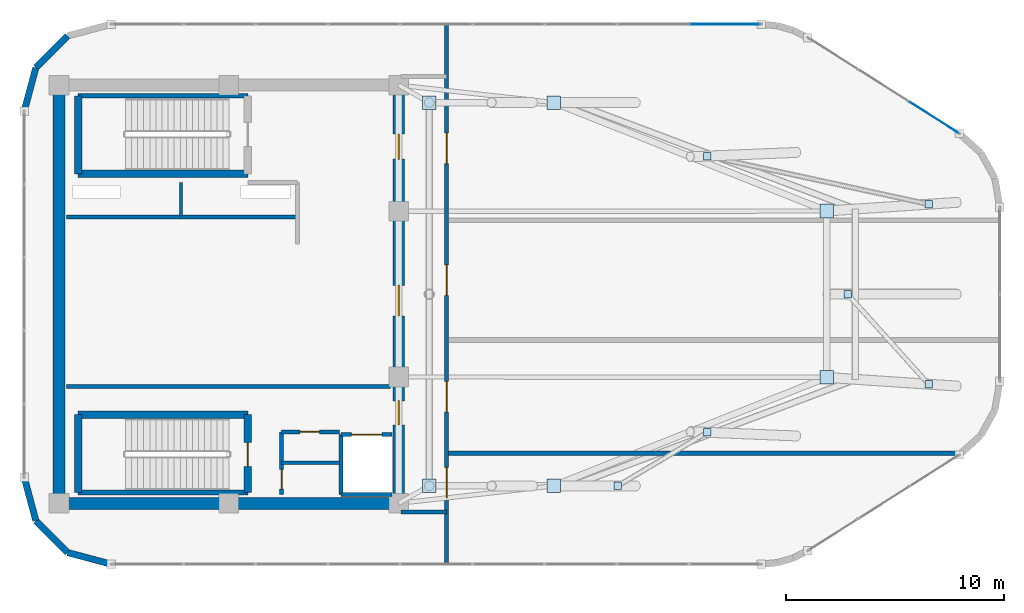
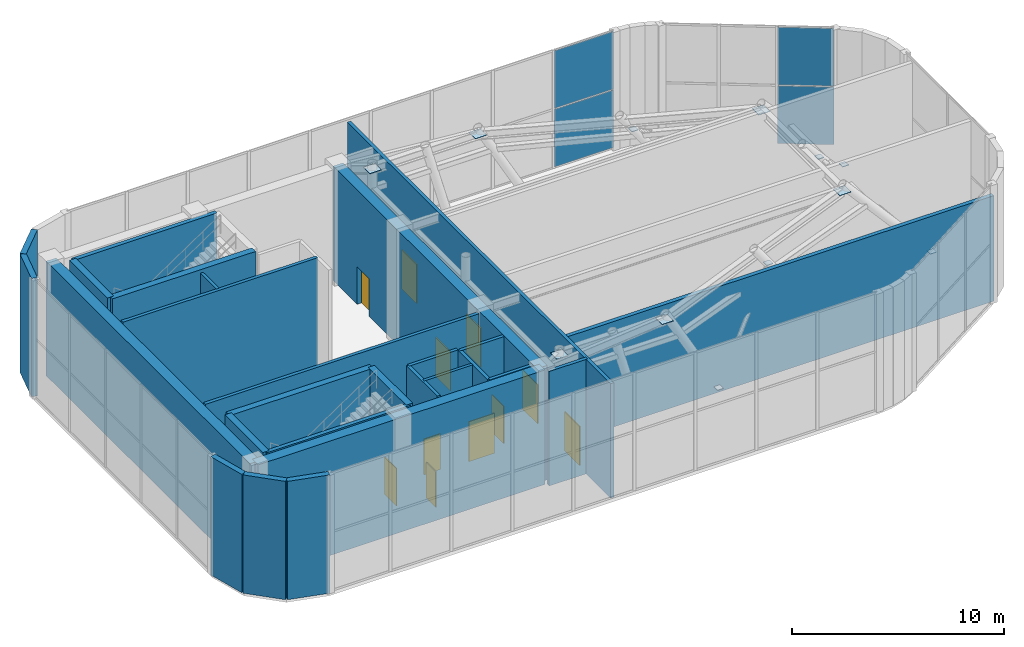
# One storey, part 22 of 24: 27 walls, 16 plates, 11 doors, 11 openings, 2 elements without a shape of their own.
"""IFC4 building model written with IfcOpenShell, lengths in metres."""

from ifc_helpers import new_model, si_unit, direction, frame, frame_2d, origin, origin_2d, place, context, subcontext, project, spatial, rectangle, extrude, material, layer, layer_set, type_object, element, fill, aggregate, save


model = new_model("IFC4")

# Units and contexts
model_context = context("Model", 3, precision=1e-05, world=origin(), true_north=direction((0.0, 1.0)))
body_context = subcontext(model_context, "Body", "Model", "MODEL_VIEW")
ifc_project = project(units=[si_unit("LENGTHUNIT", "METRE"), si_unit("AREAUNIT", "SQUARE_METRE"), si_unit("VOLUMEUNIT", "CUBIC_METRE"), si_unit("PLANEANGLEUNIT", "RADIAN"), si_unit("MASSUNIT", "GRAM", prefix="KILO")], contexts=[model_context])

# Site, building, storey
site_placement = place(None, origin())
site = spatial("IfcSite", under=ifc_project, at=site_placement, CompositionType="ELEMENT")
building_placement = place(site_placement, origin())
building = spatial("IfcBuilding", under=site, at=building_placement, Name="An Khanh Terracotta Commons", CompositionType="ELEMENT")
storey_placement = place(building_placement, frame((0.0, 0.0, 315.199951171875)))
storey = spatial("IfcBuildingStorey", under=building, at=storey_placement, Name="L80 Crown Cooling Plant", CompositionType="ELEMENT", Elevation=315.199951171875)

# Plates
ifc_material_1 = material(Name="Steel S460ML", Category="steel")
ifc_layer_1 = layer(ifc_material_1, 0.030029296875, Name="Steel S460ML")
ifc_layer_set_1 = layer_set([ifc_layer_1], Name="Steel S460ML")
plate_type_1 = type_object("IfcPlateType", Name="CROWN-CAP-PL", PredefinedType="USERDEFINED", material=ifc_layer_set_1)
for number, where, z_axis, x_axis, name in (
    (1, (47.260986328125, 15.199951171875, 1.3701171875), (0.0, 0.0, 1.0), (1.0, 0.0, 0.0), "L80 Crown Cooling Plant CROWN FRAME Brace End-Cap Plate 2A"),
    (2, (51.366943359375, 17.657958984375, 5.61083984375), (0.0, 0.0, 1.0), (1.0, 0.0, 0.0), "L80 Crown Cooling Plant CROWN FRAME Brace End-Cap Plate 2B"),
    (3, (61.530029296875, 19.867919921875, 1.3701171875), (0.0, 0.0, 1.0), (1.0, 0.0, 0.0), "L80 Crown Cooling Plant CROWN FRAME Brace End-Cap Plate 3A"),
    (4, (57.81005859375, 24.0, 5.61083984375), (0.0, 0.0, 1.0), (1.0, 0.0, 0.0), "L80 Crown Cooling Plant CROWN FRAME Brace End-Cap Plate 3B"),
    (5, (61.530029296875, 28.132080078125, 1.3701171875), (0.0, 0.0, 1.0), (1.0, 0.0, 0.0), "L80 Crown Cooling Plant CROWN FRAME Brace End-Cap Plate 4A"),
    (6, (51.366943359375, 30.342041015625, 5.61083984375), (0.0, 0.0, 1.0), (1.0, 0.0, 0.0), "L80 Crown Cooling Plant CROWN FRAME Brace End-Cap Plate 4B"),
):
    element("IfcPlate", number, at=place(storey_placement, frame(where, z_axis=z_axis, x_axis=x_axis)), inside=storey, type_object=plate_type_1, Name=name, ObjectType="FLANGE_PLATE", PredefinedType="USERDEFINED", context=body_context, shape_type="SweptSolid", body=[
        extrude(rectangle(XDim=0.340087890625, YDim=0.340087890625, at=origin_2d()), origin(), (0.0, 0.0, 1.0), 0.030029296875),
    ])

# Curtain wall, plates
ifc_material_2 = material(Name="Anodised Aluminium 6063-T6", Category="aluminium")
ifc_layer_2 = layer(ifc_material_2, 0.18994140625, Name="Anodised Aluminium 6063-T6")
ifc_layer_set_2 = layer_set([ifc_layer_2], Name="Anodised Aluminium 6063-T6")
curtain_wall_type = type_object("IfcCurtainWallType", Name="CW-SYS-06", PredefinedType="USERDEFINED", material=ifc_layer_set_2)
curtain_wall_1_placement = place(storey_placement, origin())
curtain_wall_1 = element("IfcCurtainWall", 7, at=curtain_wall_1_placement, inside=storey, type_object=curtain_wall_type, Name="L80 Crown Cooling Plant CW-06 Unitised Curtain Wall CW-L80-16", ObjectType="UNITISED CURTAIN WALL", PredefinedType="USERDEFINED")
ifc_material_3 = material(Name="Faceted Crown Low-Iron Low-E Glazing", Category="glass")
ifc_layer_3 = layer(ifc_material_3, 0.033935546875, Name="Faceted Crown Low-Iron Low-E Glazing")
ifc_layer_set_3 = layer_set([ifc_layer_3], Name="Faceted Crown Low-Iron Low-E Glazing")
plate_type_2 = type_object("IfcPlateType", Name="CWP-CROWN-34", PredefinedType="CURTAIN_PANEL", material=ifc_layer_set_3)
plate_1_placement = place(storey_placement, frame((61.765380859375, 32.120361328125, 0.06005859375), z_axis=(0.0, 0.0, 1.0), x_axis=(-0.845113547412, 0.53458684232, 0.0)))
plate_1 = element("IfcPlate", 8, at=plate_1_placement, type_object=plate_type_2, Name="CW-06 panel 1.1", PredefinedType="CURTAIN_PANEL", context=body_context, shape_type="SweptSolid", body=[
    extrude(rectangle(XDim=2.647216796875, YDim=0.033935546875, at=origin_2d()), origin(), (0.0, 0.0, 1.0), 3.31005859375),
])
plate_2_placement = place(storey_placement, frame((61.765380859375, 32.120361328125, 3.429931640625), z_axis=(0.0, 0.0, 1.0), x_axis=(-0.845113547412, 0.53458684232, 0.0)))
plate_2 = element("IfcPlate", 9, at=plate_2_placement, type_object=plate_type_2, Name="CW-06 panel 1.2", PredefinedType="CURTAIN_PANEL", context=body_context, shape_type="SweptSolid", body=[
    extrude(rectangle(XDim=2.647216796875, YDim=0.033935546875, at=origin_2d()), origin(), (0.0, 0.0, 1.0), 3.31005859375),
])
aggregate(curtain_wall_1, [plate_1, plate_2])

curtain_wall_2_placement = place(storey_placement, origin())
curtain_wall_2 = element("IfcCurtainWall", 10, at=curtain_wall_2_placement, inside=storey, type_object=curtain_wall_type, Name="L80 Crown Cooling Plant CW-06 Unitised Curtain Wall CW-L80-20", ObjectType="UNITISED CURTAIN WALL", PredefinedType="USERDEFINED")
plate_3_placement = place(storey_placement, frame((52.1669921875, 36.39990234375, 0.06005859375), z_axis=(0.0, 0.0, 1.0), x_axis=(-1.0, 0.0, 0.0)))
plate_3 = element("IfcPlate", 11, at=plate_3_placement, type_object=plate_type_2, Name="CW-06 panel 1.1", PredefinedType="CURTAIN_PANEL", context=body_context, shape_type="SweptSolid", body=[
    extrude(rectangle(XDim=3.21826171875, YDim=0.033935546875, at=origin_2d()), origin(), (0.0, 0.0, 1.0), 3.31005859375),
])
plate_4_placement = place(storey_placement, frame((52.1669921875, 36.39990234375, 3.429931640625), z_axis=(0.0, 0.0, 1.0), x_axis=(-1.0, 0.0, 0.0)))
plate_4 = element("IfcPlate", 12, at=plate_4_placement, type_object=plate_type_2, Name="CW-06 panel 1.2", PredefinedType="CURTAIN_PANEL", context=body_context, shape_type="SweptSolid", body=[
    extrude(rectangle(XDim=3.21826171875, YDim=0.033935546875, at=origin_2d()), origin(), (0.0, 0.0, 1.0), 3.31005859375),
])
aggregate(curtain_wall_2, [plate_3, plate_4])

# Plates
ifc_layer_4 = layer(ifc_material_1, 0.02490234375, Name="Steel S460ML")
ifc_layer_set_4 = layer_set([ifc_layer_4], Name="Steel S460ML")
plate_type_3 = type_object("IfcPlateType", Name="PLATE-GUSSET-25", PredefinedType="USERDEFINED", material=ifc_layer_set_4)
for number, where, z_axis, x_axis, name in (
    (13, (38.60009765625, 15.199951171875, 6.317626953125), (0.0, 0.0, 1.0), (1.0, 0.0, 0.0), "L80 Crown Cooling Plant CROWN FRAME Node End-Cap Plate 1"),
    (14, (44.322021484375, 15.199951171875, 6.317626953125), (0.0, 0.0, 1.0), (1.0, 0.0, 0.0), "L80 Crown Cooling Plant CROWN FRAME Node End-Cap Plate 2"),
    (15, (56.85009765625, 20.179931640625, 6.317626953125), (0.0, 0.0, 1.0), (1.0, 0.0, 0.0), "L80 Crown Cooling Plant CROWN FRAME Node End-Cap Plate 3"),
    (16, (56.85009765625, 27.820068359375, 6.317626953125), (0.0, 0.0, 1.0), (1.0, 0.0, 0.0), "L80 Crown Cooling Plant CROWN FRAME Node End-Cap Plate 4"),
    (17, (44.322021484375, 32.800048828125, 6.317626953125), (0.0, 0.0, 1.0), (1.0, 0.0, 0.0), "L80 Crown Cooling Plant CROWN FRAME Node End-Cap Plate 5"),
    (18, (38.60009765625, 32.800048828125, 6.317626953125), (0.0, 0.0, 1.0), (1.0, 0.0, 0.0), "L80 Crown Cooling Plant CROWN FRAME Node End-Cap Plate 6"),
):
    element("IfcPlate", number, at=place(storey_placement, frame(where, z_axis=z_axis, x_axis=x_axis)), inside=storey, type_object=plate_type_3, Name=name, ObjectType="FLANGE_PLATE", PredefinedType="USERDEFINED", context=body_context, shape_type="SweptSolid", body=[
        extrude(rectangle(XDim=0.6201171875, YDim=0.6201171875, at=origin_2d()), origin(), (0.0, 0.0, 1.0), 0.02490234375),
    ])

# Walls
ifc_material_4 = material(Name="Concrete C50/60", Category="concrete")
ifc_layer_5 = layer(ifc_material_4, 0.550048828125, Name="Concrete C50/60")
ifc_layer_set_5 = layer_set([ifc_layer_5], Name="Concrete C50/60")
wall_type_1 = type_object("IfcWallType", Name="WALL-CORE-550", PredefinedType="SHEAR", material=ifc_layer_set_5)
wall_1_placement = place(storey_placement, frame((21.60009765625, 14.39990234375, 0.0), z_axis=(0.0, 0.0, 1.0), x_axis=(0.0, 1.0, 0.0)))
element("IfcWall", 19, at=wall_1_placement, inside=storey, type_object=wall_type_1, Name="L80 Crown Cooling Plant Core Wall CWALL-L80 Crown Cooling Plant-W", PredefinedType="SHEAR", context=body_context, shape_type="SweptSolid", body=[
    extrude(rectangle(XDim=19.2001953125, YDim=0.550048828125, at=frame_2d((9.60009765625, 0.0))), origin(), (0.0, 0.0, 1.0), 6.580078125),
])
wall_2_placement = place(storey_placement, frame((37.199951171875, 14.39990234375, 0.0), z_axis=(0.0, 0.0, 1.0), x_axis=(-1.0, 0.0, 0.0)))
element("IfcWall", 20, at=wall_2_placement, inside=storey, type_object=wall_type_1, Name="L80 Crown Cooling Plant Core Wall CWALL-L80 Crown Cooling Plant-S", PredefinedType="SHEAR", context=body_context, shape_type="SweptSolid", body=[
    extrude(rectangle(XDim=15.599853515625, YDim=0.550048828125, at=frame_2d((7.7998046875, 0.0))), origin(), (0.0, 0.0, 1.0), 6.580078125),
])

# Wall, openings, doors
wall_3_placement = place(storey_placement, frame((37.199951171875, 14.39990234375, 0.0), z_axis=(0.0, 0.0, 1.0), x_axis=(0.0, 1.0, 0.0)))
wall_3 = element("IfcWall", 21, at=wall_3_placement, inside=storey, type_object=wall_type_1, Name="L80 Crown Cooling Plant Core Wall CWALL-L80 Crown Cooling Plant-E", PredefinedType="SHEAR", context=body_context, shape_type="SweptSolid", body=[
    extrude(rectangle(XDim=19.2001953125, YDim=0.550048828125, at=frame_2d((9.60009765625, 0.0))), origin(), (0.0, 0.0, 1.0), 6.580078125),
])
opening_1_placement = place(wall_3_placement, frame((15.800048828125, 0.0, 0.0)))
opening_1 = element("IfcOpeningElement", 22, at=opening_1_placement, cuts=wall_3, Name="Opening D-FFL", PredefinedType="OPENING", context=body_context, shape_type="SweptSolid", body=[
    extrude(rectangle(XDim=1.14990234375, YDim=2.14990234375, at=frame_2d((0.574951171875, 1.074951171875))), frame((0.0, 0.284912109375, 0.0), z_axis=(0.0, -1.0, 0.0), x_axis=(1.0, 0.0, 0.0)), (0.0, 0.0, 1.0), 0.570068359375),
])
opening_2_placement = place(wall_3_placement, frame((3.60009765625, 0.0, 0.0)))
opening_2 = element("IfcOpeningElement", 23, at=opening_2_placement, cuts=wall_3, Name="Opening D-ST", PredefinedType="OPENING", context=body_context, shape_type="SweptSolid", body=[
    extrude(rectangle(XDim=1.10009765625, YDim=2.14990234375, at=frame_2d((0.550048828125, 1.074951171875))), frame((0.0, 0.284912109375, 0.0), z_axis=(0.0, -1.0, 0.0), x_axis=(1.0, 0.0, 0.0)), (0.0, 0.0, 1.0), 0.570068359375),
])
opening_3_placement = place(wall_3_placement, frame((8.60009765625, 0.0, 0.0)))
opening_3 = element("IfcOpeningElement", 24, at=opening_3_placement, cuts=wall_3, Name="Opening D-PL", PredefinedType="OPENING", context=body_context, shape_type="SweptSolid", body=[
    extrude(rectangle(XDim=1.39990234375, YDim=2.25, at=frame_2d((0.699951171875, 1.125))), frame((0.0, 0.284912109375, 0.0), z_axis=(0.0, -1.0, 0.0), x_axis=(1.0, 0.0, 0.0)), (0.0, 0.0, 1.0), 0.570068359375),
])
ifc_material_5 = material(Name="Fire-Rated Steel Leaf and Vision Panel", Category="steel")
door_type_1 = type_object("IfcDoorType", Name="DOOR-FFL-1150", OperationType="NOTDEFINED", PredefinedType="DOOR", material=ifc_material_5)
door_1_placement = place(opening_1_placement, origin())
door_1 = element("IfcDoor", 25, at=door_1_placement, inside=storey, type_object=door_type_1, Name="L80 Crown Cooling Plant Firefighting Lift Lobby Fire Door", OperationType="SINGLE_SWING_RIGHT", OverallHeight=2.14990234375, OverallWidth=1.14990234375, PredefinedType="DOOR", context=body_context, shape_type="SweptSolid", body=[
    extrude(rectangle(XDim=1.14990234375, YDim=2.14990234375, at=frame_2d((0.574951171875, 1.074951171875))), frame((0.0, 0.02490234375, 0.0), z_axis=(0.0, -1.0, 0.0), x_axis=(1.0, 0.0, 0.0)), (0.0, 0.0, 1.0), 0.050048828125),
])
fill(opening_1, door_1)
ifc_material_6 = material(Name="Heavy-Duty Acoustic Steel Double Plant Door", Category="steel")
door_type_2 = type_object("IfcDoorType", Name="DOOR-PLANT-1400", OperationType="NOTDEFINED", PredefinedType="DOOR", material=ifc_material_6)
door_2_placement = place(opening_3_placement, origin())
door_2 = element("IfcDoor", 26, at=door_2_placement, inside=storey, type_object=door_type_2, Name="L80 Crown Cooling Plant Crown Core Lobby Door", OperationType="DOUBLE_DOOR_SINGLE_SWING", OverallHeight=2.25, OverallWidth=1.39990234375, PredefinedType="DOOR", context=body_context, shape_type="SweptSolid", body=[
    extrude(rectangle(XDim=1.39990234375, YDim=2.25, at=frame_2d((0.699951171875, 1.125))), frame((0.0, 0.02490234375, 0.0), z_axis=(0.0, -1.0, 0.0), x_axis=(1.0, 0.0, 0.0)), (0.0, 0.0, 1.0), 0.050048828125),
])
fill(opening_3, door_2)
ifc_material_7 = material(Name="Fire-Rated Steel Leaf and Frame", Category="steel")
door_type_3 = type_object("IfcDoorType", Name="DOOR-STAIR-1100", OperationType="NOTDEFINED", PredefinedType="DOOR", material=ifc_material_7)
door_3_placement = place(opening_2_placement, origin())
door_3 = element("IfcDoor", 27, at=door_3_placement, inside=storey, type_object=door_type_3, Name="L80 Crown Cooling Plant South Stair Lobby Fire Door", OperationType="SINGLE_SWING_LEFT", OverallHeight=2.14990234375, OverallWidth=1.10009765625, PredefinedType="DOOR", context=body_context, shape_type="SweptSolid", body=[
    extrude(rectangle(XDim=1.10009765625, YDim=2.14990234375, at=frame_2d((0.550048828125, 1.074951171875))), frame((0.0, 0.02490234375, 0.0), z_axis=(0.0, -1.0, 0.0), x_axis=(1.0, 0.0, 0.0)), (0.0, 0.0, 1.0), 0.050048828125),
])
fill(opening_2, door_3)

# Walls
ifc_material_8 = material(Name="Fire-Rated Gypsum Board on Steel Stud", Category="steel")
ifc_layer_6 = layer(ifc_material_8, 0.179931640625, Name="Fire-Rated Gypsum Board on Steel Stud")
ifc_layer_set_6 = layer_set([ifc_layer_6], Name="Fire-Rated Gypsum Board on Steel Stud")
wall_type_2 = type_object("IfcWallType", Name="WALL-CORR-180", PredefinedType="PARTITIONING", material=ifc_layer_set_6)
wall_4_placement = place(storey_placement, frame((21.949951171875, 27.5400390625, 0.0), z_axis=(0.0, 0.0, 1.0), x_axis=(1.0, 0.0, 0.0)))
element("IfcWall", 28, at=wall_4_placement, inside=storey, type_object=wall_type_2, Name="L80 Crown Cooling Plant Core Wall RSRW-L80 Crown Cooling Plant-S", PredefinedType="PARTITIONING", context=body_context, shape_type="SweptSolid", body=[
    extrude(rectangle(XDim=10.60009765625, YDim=0.179931640625, at=frame_2d((5.300048828125, 0.0))), origin(), (0.0, 0.0, 1.0), 6.580078125),
])
wall_5_placement = place(storey_placement, frame((21.949951171875, 19.760009765625, 0.0), z_axis=(0.0, 0.0, 1.0), x_axis=(1.0, 0.0, 0.0)))
element("IfcWall", 29, at=wall_5_placement, inside=storey, type_object=wall_type_2, Name="L80 Crown Cooling Plant Core Wall SVW-L80 Crown Cooling Plant-N", PredefinedType="PARTITIONING", context=body_context, shape_type="SweptSolid", body=[
    extrude(rectangle(XDim=14.8701171875, YDim=0.179931640625, at=frame_2d((7.43505859375, 0.0))), origin(), (0.0, 0.0, 1.0), 6.580078125),
])

# Wall, opening, door
wall_6_placement = place(storey_placement, frame((31.820068359375, 17.679931640625, 0.0), z_axis=(0.0, 0.0, 1.0), x_axis=(1.0, 0.0, 0.0)))
wall_6 = element("IfcWall", 30, at=wall_6_placement, inside=storey, type_object=wall_type_2, Name="L80 Crown Cooling Plant Core Wall SSVCW-L80 Crown Cooling Plant-N", PredefinedType="PARTITIONING", context=body_context, shape_type="SweptSolid", body=[
    extrude(rectangle(XDim=2.659912109375, YDim=0.179931640625, at=frame_2d((1.330078125, 0.0))), origin(), (0.0, 0.0, 1.0), 6.580078125),
])
opening_4_placement = place(wall_6_placement, frame((0.85009765625, 0.0, 0.0)))
opening_4 = element("IfcOpeningElement", 31, at=opening_4_placement, cuts=wall_6, Name="Opening D-SV", PredefinedType="OPENING", context=body_context, shape_type="SweptSolid", body=[
    extrude(rectangle(XDim=0.89990234375, YDim=2.050048828125, at=frame_2d((0.449951171875, 1.02490234375))), frame((0.0, 0.099853515625, 0.0), z_axis=(0.0, -1.0, 0.0), x_axis=(1.0, 0.0, 0.0)), (0.0, 0.0, 1.0), 0.199951171875),
])
ifc_material_9 = material(Name="Fire-Rated Powder-Coated Steel Door", Category="steel")
door_type_4 = type_object("IfcDoorType", Name="DOOR-SERV-900", OperationType="NOTDEFINED", PredefinedType="DOOR", material=ifc_material_9)
door_4_placement = place(opening_4_placement, origin())
door_4 = element("IfcDoor", 32, at=door_4_placement, inside=storey, type_object=door_type_4, Name="L80 Crown Cooling Plant Core Cleaner Store Door", OperationType="SINGLE_SWING_RIGHT", OverallHeight=2.050048828125, OverallWidth=0.89990234375, PredefinedType="DOOR", context=body_context, shape_type="SweptSolid", body=[
    extrude(rectangle(XDim=0.89990234375, YDim=2.050048828125, at=frame_2d((0.449951171875, 1.02490234375))), frame((0.0, 0.02490234375, 0.0), z_axis=(0.0, -1.0, 0.0), x_axis=(1.0, 0.0, 0.0)), (0.0, 0.0, 1.0), 0.050048828125),
])
fill(opening_4, door_4)

wall_7_placement = place(storey_placement, frame((31.820068359375, 14.800048828125, 0.0), z_axis=(0.0, 0.0, 1.0), x_axis=(0.0, 1.0, 0.0)))
wall_7 = element("IfcWall", 33, at=wall_7_placement, inside=storey, type_object=wall_type_2, Name="L80 Crown Cooling Plant Core Wall SSVCW-L80 Crown Cooling Plant-W", PredefinedType="PARTITIONING", context=body_context, shape_type="SweptSolid", body=[
    extrude(rectangle(XDim=2.8798828125, YDim=0.179931640625, at=frame_2d((1.43994140625, 0.0))), origin(), (0.0, 0.0, 1.0), 6.580078125),
])
opening_5_placement = place(wall_7_placement, frame((0.260009765625, 0.0, 0.0)))
opening_5 = element("IfcOpeningElement", 34, at=opening_5_placement, cuts=wall_7, Name="Opening D-SV", PredefinedType="OPENING", context=body_context, shape_type="SweptSolid", body=[
    extrude(rectangle(XDim=0.89990234375, YDim=2.050048828125, at=frame_2d((0.449951171875, 1.02490234375))), frame((0.0, 0.099853515625, 0.0), z_axis=(0.0, -1.0, 0.0), x_axis=(1.0, 0.0, 0.0)), (0.0, 0.0, 1.0), 0.199951171875),
])
door_5_placement = place(opening_5_placement, origin())
door_5 = element("IfcDoor", 35, at=door_5_placement, inside=storey, type_object=door_type_4, Name="L80 Crown Cooling Plant Telecoms BMS Cupboard Door", OperationType="SINGLE_SWING_LEFT", OverallHeight=2.050048828125, OverallWidth=0.89990234375, PredefinedType="DOOR", context=body_context, shape_type="SweptSolid", body=[
    extrude(rectangle(XDim=0.89990234375, YDim=2.050048828125, at=frame_2d((0.449951171875, 1.02490234375))), frame((0.0, 0.02490234375, 0.0), z_axis=(0.0, -1.0, 0.0), x_axis=(1.0, 0.0, 0.0)), (0.0, 0.0, 1.0), 0.050048828125),
])
fill(opening_5, door_5)

wall_8_placement = place(storey_placement, frame((34.550048828125, 17.550048828125, 0.0), z_axis=(0.0, 0.0, 1.0), x_axis=(1.0, 0.0, 0.0)))
wall_8 = element("IfcWall", 36, at=wall_8_placement, inside=storey, type_object=wall_type_2, Name="L80 Crown Cooling Plant Core Wall LSH-L80 Crown Cooling Plant-SVL-01-N", PredefinedType="PARTITIONING", context=body_context, shape_type="SweptSolid", body=[
    extrude(rectangle(XDim=2.349853515625, YDim=0.179931640625, at=frame_2d((1.1748046875, 0.0))), origin(), (0.0, 0.0, 1.0), 6.580078125),
])
opening_6_placement = place(wall_8_placement, frame((0.47509765625, 0.0, 0.0)))
opening_6 = element("IfcOpeningElement", 37, at=opening_6_placement, cuts=wall_8, Name="Opening LD-SVL-01-L80 Crown Cooling Plant", PredefinedType="OPENING", context=body_context, shape_type="SweptSolid", body=[
    extrude(rectangle(XDim=1.39990234375, YDim=2.300048828125, at=frame_2d((0.699951171875, 1.14990234375))), frame((0.0, 0.099853515625, 0.0), z_axis=(0.0, -1.0, 0.0), x_axis=(1.0, 0.0, 0.0)), (0.0, 0.0, 1.0), 0.199951171875),
])
ifc_material_10 = material(Name="Heavy-Duty Stainless Steel Goods Landing Door", Category="steel")
door_type_5 = type_object("IfcDoorType", Name="DOOR-LD-SVL-1400", OperationType="NOTDEFINED", PredefinedType="DOOR", material=ifc_material_10)
door_6_placement = place(opening_6_placement, origin())
door_6 = element("IfcDoor", 38, at=door_6_placement, inside=storey, type_object=door_type_5, Name="L80 Crown Cooling Plant Lift SVL-01 Sliding Landing Door", OperationType="DOUBLE_DOOR_SLIDING", OverallHeight=2.300048828125, OverallWidth=1.39990234375, PredefinedType="DOOR", context=body_context, shape_type="SweptSolid", body=[
    extrude(rectangle(XDim=1.39990234375, YDim=2.300048828125, at=frame_2d((0.699951171875, 1.14990234375))), frame((0.0, 0.02490234375, 0.0), z_axis=(0.0, -1.0, 0.0), x_axis=(1.0, 0.0, 0.0)), (0.0, 0.0, 1.0), 0.050048828125),
])
fill(opening_6, door_6)

# Walls
wall_9_placement = place(storey_placement, frame((36.89990234375, 14.800048828125, 0.0), z_axis=(0.0, 0.0, 1.0), x_axis=(-1.0, 0.0, 0.0)))
element("IfcWall", 39, at=wall_9_placement, inside=storey, type_object=wall_type_2, Name="L80 Crown Cooling Plant Core Wall LSH-L80 Crown Cooling Plant-SVL-01-S", PredefinedType="PARTITIONING", context=body_context, shape_type="SweptSolid", body=[
    extrude(rectangle(XDim=2.349853515625, YDim=0.179931640625, at=frame_2d((1.1748046875, 0.0))), origin(), (0.0, 0.0, 1.0), 6.580078125),
])
wall_10_placement = place(storey_placement, frame((34.550048828125, 17.550048828125, 0.0), z_axis=(0.0, 0.0, 1.0), x_axis=(0.0, -1.0, 0.0)))
element("IfcWall", 40, at=wall_10_placement, inside=storey, type_object=wall_type_2, Name="L80 Crown Cooling Plant Core Wall LSH-L80 Crown Cooling Plant-SVL-01-W", PredefinedType="PARTITIONING", context=body_context, shape_type="SweptSolid", body=[
    extrude(rectangle(XDim=2.75, YDim=0.179931640625, at=frame_2d((1.375, 0.0))), origin(), (0.0, 0.0, 1.0), 6.580078125),
])
wall_11_placement = place(storey_placement, frame((37.300048828125, 14.0, 0.0), z_axis=(0.0, 0.0, 1.0), x_axis=(1.0, 0.0, 0.0)))
element("IfcWall", 41, at=wall_11_placement, inside=storey, type_object=wall_type_2, Name="L80 Crown Cooling Plant Interior Partition IW-L80 Crown Cooling Plant-E001", PredefinedType="PARTITIONING", context=body_context, shape_type="SweptSolid", body=[
    extrude(rectangle(XDim=2.099853515625, YDim=0.179931640625, at=frame_2d((1.0498046875, 0.0))), origin(), (0.0, 0.0, 1.0), 6.580078125),
])

# Wall, openings, doors
wall_12_placement = place(storey_placement, frame((39.39990234375, 11.60009765625, 0.0), z_axis=(0.0, 0.0, 1.0), x_axis=(0.0, 1.0, 0.0)))
wall_12 = element("IfcWall", 42, at=wall_12_placement, inside=storey, type_object=wall_type_2, Name="L80 Crown Cooling Plant Interior Partition IW-L80 Crown Cooling Plant-E006", PredefinedType="PARTITIONING", context=body_context, shape_type="SweptSolid", body=[
    extrude(rectangle(XDim=24.7998046875, YDim=0.179931640625, at=frame_2d((12.39990234375, 0.0))), origin(), (0.0, 0.0, 1.0), 6.580078125),
])
opening_7_placement = place(wall_12_placement, frame((18.39990234375, 0.0, 0.0)))
opening_7 = element("IfcOpeningElement", 43, at=opening_7_placement, cuts=wall_12, Name="Opening D-PL", PredefinedType="OPENING", context=body_context, shape_type="SweptSolid", body=[
    extrude(rectangle(XDim=1.39990234375, YDim=2.25, at=frame_2d((0.699951171875, 1.125))), frame((0.0, 0.099853515625, 0.0), z_axis=(0.0, -1.0, 0.0), x_axis=(1.0, 0.0, 0.0)), (0.0, 0.0, 1.0), 0.199951171875),
])
opening_8_placement = place(wall_12_placement, frame((12.35009765625, 0.0, 0.0)))
opening_8 = element("IfcOpeningElement", 44, at=opening_8_placement, cuts=wall_12, Name="Opening D-PL", PredefinedType="OPENING", context=body_context, shape_type="SweptSolid", body=[
    extrude(rectangle(XDim=1.39990234375, YDim=2.25, at=frame_2d((0.699951171875, 1.125))), frame((0.0, 0.099853515625, 0.0), z_axis=(0.0, -1.0, 0.0), x_axis=(1.0, 0.0, 0.0)), (0.0, 0.0, 1.0), 0.199951171875),
])
opening_9_placement = place(wall_12_placement, frame((7.0, 0.0, 0.0)))
opening_9 = element("IfcOpeningElement", 45, at=opening_9_placement, cuts=wall_12, Name="Opening D-PL", PredefinedType="OPENING", context=body_context, shape_type="SweptSolid", body=[
    extrude(rectangle(XDim=1.39990234375, YDim=2.25, at=frame_2d((0.699951171875, 1.125))), frame((0.0, 0.099853515625, 0.0), z_axis=(0.0, -1.0, 0.0), x_axis=(1.0, 0.0, 0.0)), (0.0, 0.0, 1.0), 0.199951171875),
])
opening_10_placement = place(wall_12_placement, frame((3.050048828125, 0.0, 0.0)))
opening_10 = element("IfcOpeningElement", 46, at=opening_10_placement, cuts=wall_12, Name="Opening D-PL", PredefinedType="OPENING", context=body_context, shape_type="SweptSolid", body=[
    extrude(rectangle(XDim=1.39990234375, YDim=2.25, at=frame_2d((0.699951171875, 1.125))), frame((0.0, 0.099853515625, 0.0), z_axis=(0.0, -1.0, 0.0), x_axis=(1.0, 0.0, 0.0)), (0.0, 0.0, 1.0), 0.199951171875),
])
door_7_placement = place(opening_7_placement, origin())
door_7 = element("IfcDoor", 47, at=door_7_placement, inside=storey, type_object=door_type_2, Name="L80 Crown Cooling Plant CHLR Centrifugal Chiller Plant Room Door", OperationType="DOUBLE_DOOR_SINGLE_SWING", OverallHeight=2.25, OverallWidth=1.39990234375, PredefinedType="DOOR", context=body_context, shape_type="SweptSolid", body=[
    extrude(rectangle(XDim=1.39990234375, YDim=2.25, at=frame_2d((0.699951171875, 1.125))), frame((0.0, 0.02490234375, 0.0), z_axis=(0.0, -1.0, 0.0), x_axis=(1.0, 0.0, 0.0)), (0.0, 0.0, 1.0), 0.050048828125),
])
fill(opening_7, door_7)
door_8_placement = place(opening_8_placement, origin())
door_8 = element("IfcDoor", 48, at=door_8_placement, inside=storey, type_object=door_type_2, Name="L80 Crown Cooling Plant CAHU Supply Air Handling Fan Plant Room Door", OperationType="DOUBLE_DOOR_SINGLE_SWING", OverallHeight=2.25, OverallWidth=1.39990234375, PredefinedType="DOOR", context=body_context, shape_type="SweptSolid", body=[
    extrude(rectangle(XDim=1.39990234375, YDim=2.25, at=frame_2d((0.699951171875, 1.125))), frame((0.0, 0.02490234375, 0.0), z_axis=(0.0, -1.0, 0.0), x_axis=(1.0, 0.0, 0.0)), (0.0, 0.0, 1.0), 0.050048828125),
])
fill(opening_8, door_8)
door_9_placement = place(opening_9_placement, origin())
door_9 = element("IfcDoor", 49, at=door_9_placement, inside=storey, type_object=door_type_2, Name="L80 Crown Cooling Plant CTNK Domestic Booster Water Pump Plant Room Door", OperationType="DOUBLE_DOOR_SINGLE_SWING", OverallHeight=2.25, OverallWidth=1.39990234375, PredefinedType="DOOR", context=body_context, shape_type="SweptSolid", body=[
    extrude(rectangle(XDim=1.39990234375, YDim=2.25, at=frame_2d((0.699951171875, 1.125))), frame((0.0, 0.02490234375, 0.0), z_axis=(0.0, -1.0, 0.0), x_axis=(1.0, 0.0, 0.0)), (0.0, 0.0, 1.0), 0.050048828125),
])
fill(opening_9, door_9)
door_10_placement = place(opening_10_placement, origin())
door_10 = element("IfcDoor", 50, at=door_10_placement, inside=storey, type_object=door_type_2, Name="L80 Crown Cooling Plant CSWG High-Voltage Electrical Switchgear Plant Room Door", OperationType="DOUBLE_DOOR_SINGLE_SWING", OverallHeight=2.25, OverallWidth=1.39990234375, PredefinedType="DOOR", context=body_context, shape_type="SweptSolid", body=[
    extrude(rectangle(XDim=1.39990234375, YDim=2.25, at=frame_2d((0.699951171875, 1.125))), frame((0.0, 0.02490234375, 0.0), z_axis=(0.0, -1.0, 0.0), x_axis=(1.0, 0.0, 0.0)), (0.0, 0.0, 1.0), 0.050048828125),
])
fill(opening_10, door_10)

# Walls
ifc_material_11 = material(Name="Precast concrete C40/50", Category="concrete")
ifc_layer_7 = layer(ifc_material_11, 0.300048828125, Name="Precast concrete C40/50")
ifc_layer_set_7 = layer_set([ifc_layer_7], Name="Precast concrete C40/50")
wall_type_3 = type_object("IfcWallType", Name="WALL-EXT-300", PredefinedType="SOLIDWALL", material=ifc_layer_set_7)
for number, where, z_axis, x_axis, name in (
    (51, (20.0, 15.60009765625, 0.0), (0.0, 0.0, 1.0), (0.25881466832, -0.965926999034, 0.0), "L80 Crown Cooling Plant Crown Facet Corner Closure 1"),
    (52, (20.535888671875, 13.60009765625, 0.0), (0.0, 0.0, 1.0), (0.707106781187, -0.707106781187, 0.0), "L80 Crown Cooling Plant Crown Facet Corner Closure 2"),
    (53, (22.0, 12.135986328125, 0.0), (0.0, 0.0, 1.0), (0.965926999034, -0.25881466832, 0.0), "L80 Crown Cooling Plant Crown Facet Corner Closure 3"),
    (54, (22.0, 35.864013671875, 0.0), (0.0, 0.0, 1.0), (-0.707106781187, -0.707106781187, 0.0), "L80 Crown Cooling Plant Crown Facet Corner Closure 22"),
    (55, (20.535888671875, 34.39990234375, 0.0), (0.0, 0.0, 1.0), (-0.25881466832, -0.965926999034, 0.0), "L80 Crown Cooling Plant Crown Facet Corner Closure 23"),
):
    element("IfcWall", number, at=place(storey_placement, frame(where, z_axis=z_axis, x_axis=x_axis)), inside=storey, type_object=wall_type_3, Name=name, PredefinedType="SOLIDWALL", context=body_context, shape_type="SweptSolid", body=[
        extrude(rectangle(XDim=2.070556640625, YDim=0.300048828125, at=frame_2d((1.03515625, 0.0))), origin(), (0.0, 0.0, 1.0), 6.800048828125),
    ])
ifc_material_12 = material(Name="Acoustic Gypsum Board Partition")
ifc_layer_8 = layer(ifc_material_12, 0.14990234375, Name="Acoustic Gypsum Board Partition")
ifc_layer_set_8 = layer_set([ifc_layer_8], Name="Acoustic Gypsum Board Partition")
wall_type_4 = type_object("IfcWallType", Name="WALL-PART-150", PredefinedType="PARTITIONING", material=ifc_layer_set_8)
wall_13_placement = place(storey_placement, frame((27.199951171875, 27.60009765625, 0.0), z_axis=(0.0, 0.0, 1.0), x_axis=(0.0, 1.0, 0.0)))
element("IfcWall", 56, at=wall_13_placement, inside=storey, type_object=wall_type_4, Name="L80 Crown Cooling Plant Core Wall RSRW-L80 Crown Cooling Plant-D1", PredefinedType="PARTITIONING", context=body_context, shape_type="SweptSolid", body=[
    extrude(rectangle(XDim=1.52001953125, YDim=0.14990234375, at=frame_2d((0.760009765625, 0.0))), origin(), (0.0, 0.0, 1.0), 6.580078125),
])
wall_14_placement = place(storey_placement, frame((31.820068359375, 16.260009765625, 0.0), z_axis=(0.0, 0.0, 1.0), x_axis=(1.0, 0.0, 0.0)))
element("IfcWall", 57, at=wall_14_placement, inside=storey, type_object=wall_type_4, Name="L80 Crown Cooling Plant Core Wall SSVCW-L80 Crown Cooling Plant-M", PredefinedType="PARTITIONING", context=body_context, shape_type="SweptSolid", body=[
    extrude(rectangle(XDim=2.659912109375, YDim=0.14990234375, at=frame_2d((1.330078125, 0.0))), origin(), (0.0, 0.0, 1.0), 6.580078125),
])
ifc_material_13 = material(Name="Acoustic Double-Stud Gypsum and Mineral Wool")
ifc_layer_9 = layer(ifc_material_13, 0.219970703125, Name="Acoustic Double-Stud Gypsum and Mineral Wool")
ifc_layer_set_9 = layer_set([ifc_layer_9], Name="Acoustic Double-Stud Gypsum and Mineral Wool")
wall_type_5 = type_object("IfcWallType", Name="WALL-PARTY-220", PredefinedType="PARTITIONING", material=ifc_layer_set_9)
for number, where, z_axis, x_axis, name in (
    (58, (22.47998046875, 33.110107421875, 0.0), (0.0, 0.0, 1.0), (1.0, 0.0, 0.0), "L80 Crown Cooling Plant Core Wall STW-L80 Crown Cooling Plant-N-N"),
    (59, (22.47998046875, 14.889892578125, 0.0), (0.0, 0.0, 1.0), (1.0, 0.0, 0.0), "L80 Crown Cooling Plant Core Wall STW-L80 Crown Cooling Plant-S-S"),
):
    element("IfcWall", number, at=place(storey_placement, frame(where, z_axis=z_axis, x_axis=x_axis)), inside=storey, type_object=wall_type_5, Name=name, PredefinedType="PARTITIONING", context=body_context, shape_type="SweptSolid", body=[
        extrude(rectangle(XDim=7.7900390625, YDim=0.219970703125, at=frame_2d((3.89501953125, 0.0))), origin(), (0.0, 0.0, 1.0), 6.580078125),
    ])
wall_15_placement = place(storey_placement, frame((39.39990234375, 16.699951171875, 0.0), z_axis=(0.0, 0.0, 1.0), x_axis=(1.0, 0.0, 0.0)))
element("IfcWall", 60, at=wall_15_placement, inside=storey, type_object=wall_type_5, Name="L80 Crown Cooling Plant Interior Partition IW-L80 Crown Cooling Plant-E002", PredefinedType="PARTITIONING", context=body_context, shape_type="SweptSolid", body=[
    extrude(rectangle(XDim=23.6259765625, YDim=0.219970703125, at=frame_2d((11.81298828125, 0.0))), origin(), (0.0, 0.0, 1.0), 6.06201171875),
])
ifc_layer_10 = layer(ifc_material_4, 0.35009765625, Name="Concrete C50/60")
ifc_layer_set_10 = layer_set([ifc_layer_10], Name="Concrete C50/60")
wall_type_6 = type_object("IfcWallType", Name="WALL-SHAFT-350", PredefinedType="SOLIDWALL", material=ifc_layer_set_10)
wall_16_placement = place(storey_placement, frame((22.47998046875, 29.530029296875, 0.0), z_axis=(0.0, 0.0, 1.0), x_axis=(1.0, 0.0, 0.0)))
element("IfcWall", 61, at=wall_16_placement, inside=storey, type_object=wall_type_6, Name="L80 Crown Cooling Plant Core Wall STW-L80 Crown Cooling Plant-N-S", PredefinedType="SOLIDWALL", context=body_context, shape_type="SweptSolid", body=[
    extrude(rectangle(XDim=7.7900390625, YDim=0.35009765625, at=frame_2d((3.89501953125, 0.0))), origin(), (0.0, 0.0, 1.0), 6.580078125),
])
wall_17_placement = place(storey_placement, frame((22.47998046875, 29.530029296875, 0.0), z_axis=(0.0, 0.0, 1.0), x_axis=(0.0, 1.0, 0.0)))
element("IfcWall", 62, at=wall_17_placement, inside=storey, type_object=wall_type_6, Name="L80 Crown Cooling Plant Core Wall STW-L80 Crown Cooling Plant-N-W", PredefinedType="SOLIDWALL", context=body_context, shape_type="SweptSolid", body=[
    extrude(rectangle(XDim=3.580078125, YDim=0.35009765625, at=frame_2d((1.7900390625, 0.0))), origin(), (0.0, 0.0, 1.0), 6.580078125),
])
wall_18_placement = place(storey_placement, frame((22.47998046875, 18.469970703125, 0.0), z_axis=(0.0, 0.0, 1.0), x_axis=(1.0, 0.0, 0.0)))
element("IfcWall", 63, at=wall_18_placement, inside=storey, type_object=wall_type_6, Name="L80 Crown Cooling Plant Core Wall STW-L80 Crown Cooling Plant-S-N", PredefinedType="SOLIDWALL", context=body_context, shape_type="SweptSolid", body=[
    extrude(rectangle(XDim=7.7900390625, YDim=0.35009765625, at=frame_2d((3.89501953125, 0.0))), origin(), (0.0, 0.0, 1.0), 6.580078125),
])
wall_19_placement = place(storey_placement, frame((22.47998046875, 14.889892578125, 0.0), z_axis=(0.0, 0.0, 1.0), x_axis=(0.0, 1.0, 0.0)))
element("IfcWall", 64, at=wall_19_placement, inside=storey, type_object=wall_type_6, Name="L80 Crown Cooling Plant Core Wall STW-L80 Crown Cooling Plant-S-W", PredefinedType="SOLIDWALL", context=body_context, shape_type="SweptSolid", body=[
    extrude(rectangle(XDim=3.580078125, YDim=0.35009765625, at=frame_2d((1.7900390625, 0.0))), origin(), (0.0, 0.0, 1.0), 6.580078125),
])

# Wall, opening, door
wall_20_placement = place(storey_placement, frame((30.27001953125, 14.889892578125, 0.0), z_axis=(0.0, 0.0, 1.0), x_axis=(0.0, 1.0, 0.0)))
wall_20 = element("IfcWall", 65, at=wall_20_placement, inside=storey, type_object=wall_type_6, Name="L80 Crown Cooling Plant Core Wall STW-L80 Crown Cooling Plant-S-E", PredefinedType="SOLIDWALL", context=body_context, shape_type="SweptSolid", body=[
    extrude(rectangle(XDim=3.580078125, YDim=0.35009765625, at=frame_2d((1.7900390625, 0.0))), origin(), (0.0, 0.0, 1.0), 6.580078125),
])
opening_11_placement = place(wall_20_placement, frame((1.18994140625, 0.0, 0.0)))
opening_11 = element("IfcOpeningElement", 66, at=opening_11_placement, cuts=wall_20, Name="Opening D-ST", PredefinedType="OPENING", context=body_context, shape_type="SweptSolid", body=[
    extrude(rectangle(XDim=1.10009765625, YDim=2.14990234375, at=frame_2d((0.550048828125, 1.074951171875))), frame((0.0, 0.18505859375, 0.0), z_axis=(0.0, -1.0, 0.0), x_axis=(1.0, 0.0, 0.0)), (0.0, 0.0, 1.0), 0.3701171875),
])
door_11_placement = place(opening_11_placement, origin())
door_11 = element("IfcDoor", 67, at=door_11_placement, inside=storey, type_object=door_type_3, Name="L80 Crown Cooling Plant Stair ST-02 Fire Door", OperationType="SINGLE_SWING_LEFT", OverallHeight=2.14990234375, OverallWidth=1.10009765625, PredefinedType="DOOR", context=body_context, shape_type="SweptSolid", body=[
    extrude(rectangle(XDim=1.10009765625, YDim=2.14990234375, at=frame_2d((0.550048828125, 1.074951171875))), frame((0.0, 0.02490234375, 0.0), z_axis=(0.0, -1.0, 0.0), x_axis=(1.0, 0.0, 0.0)), (0.0, 0.0, 1.0), 0.050048828125),
])
fill(opening_11, door_11)

save(model, "model.ifc")
